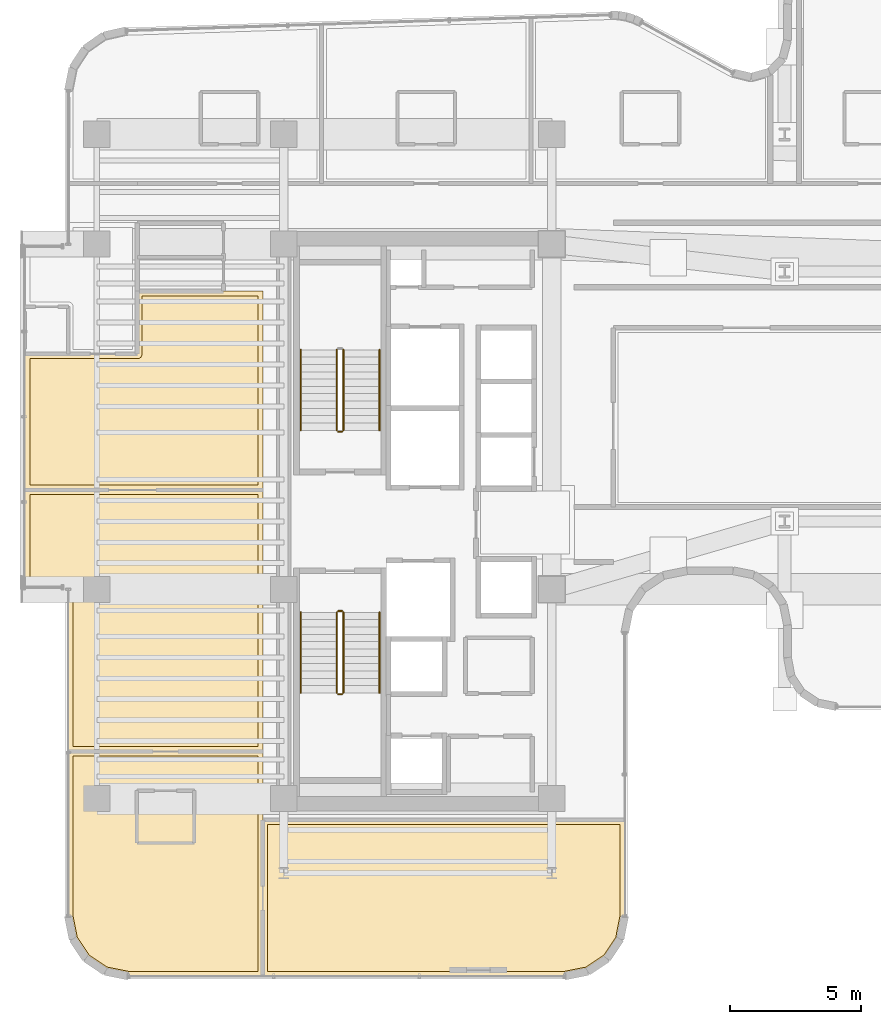
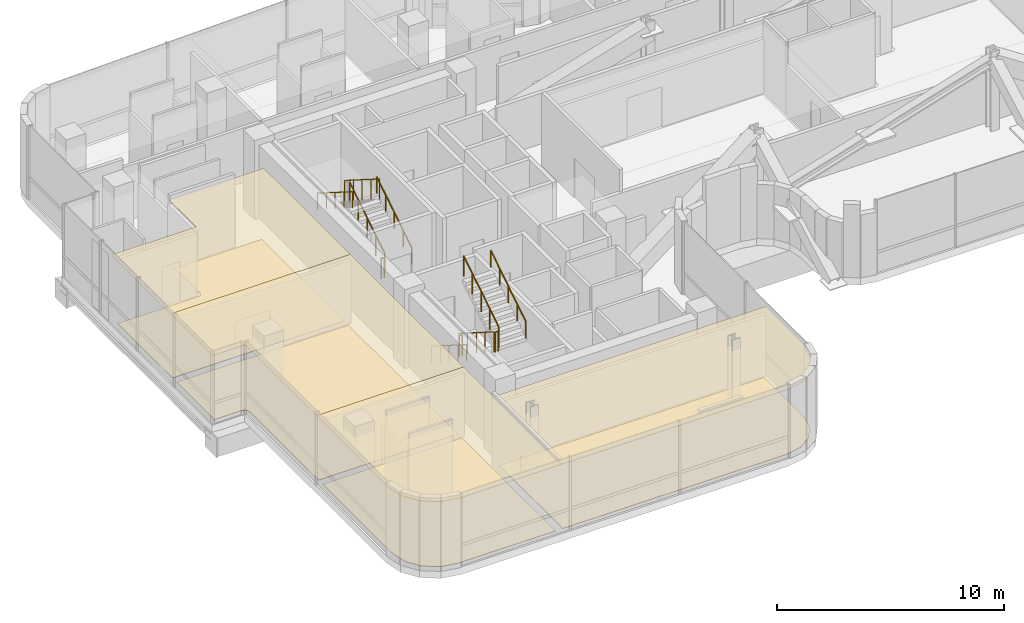
# One storey, part 32 of 37: 11 railings, 8 coverings.
"""IFC4 building model written with IfcOpenShell, lengths in metres."""

from ifc_helpers import new_model, si_unit, direction, frame, origin, origin_2d, place, context, subcontext, project, spatial, polyline, circle, outline, extrude, material, layer, layer_set, type_object, element, save


model = new_model("IFC4")

# Units and contexts
model_context = context("Model", 3, precision=1e-05, world=origin(), true_north=direction((0.0, 1.0)))
body_context = subcontext(model_context, "Body", "Model", "MODEL_VIEW")
ifc_project = project(units=[si_unit("LENGTHUNIT", "METRE"), si_unit("AREAUNIT", "SQUARE_METRE"), si_unit("VOLUMEUNIT", "CUBIC_METRE"), si_unit("PLANEANGLEUNIT", "RADIAN"), si_unit("MASSUNIT", "GRAM", prefix="KILO")], contexts=[model_context])

# Site, building, storey
site_placement = place(None, origin())
site = spatial("IfcSite", under=ifc_project, at=site_placement, CompositionType="ELEMENT")
building_placement = place(site_placement, origin())
building = spatial("IfcBuilding", under=site, at=building_placement, Name="Valdorenza Pilgrim Sanctuary Tower", CompositionType="ELEMENT")
storey_placement = place(building_placement, frame((0.0, 0.0, 172.300048828125)))
storey = spatial("IfcBuildingStorey", under=building, at=storey_placement, Name="L44", CompositionType="ELEMENT", Elevation=172.300048828125)

# Coverings
ifc_material_1 = material(Name="Micro-perforated acoustic mineral ceiling tile", Category="gypsum")
ifc_layer_1 = layer(ifc_material_1, 0.02490234375, Name="Micro-perforated acoustic mineral ceiling tile")
ifc_layer_set_1 = layer_set([ifc_layer_1], Name="Micro-perforated acoustic mineral ceiling tile")
covering_type_1 = type_object("IfcCoveringType", Name="COV-CLG-ACU", PredefinedType="CEILING", material=ifc_layer_set_1)
covering_1_placement = place(storey_placement, frame((0.0, 0.0, 3.6298828125)))
element("IfcCovering", 1, at=covering_1_placement, inside=storey, type_object=covering_type_1, Name="L44 Pilgrim Guest Room L44-CS1 Acoustic Ceiling", PredefinedType="CEILING", context=body_context, shape_type="SweptSolid", body=[
    extrude(outline(polyline([(-23.449951171875, -8.784912109375), (-23.448486328125, -8.78515625), (-23.447021484375, -8.785400390625), (-23.445556640625, -8.78564453125), (-23.4443359375, -8.7861328125), (-23.44287109375, -8.786865234375), (-23.441650390625, -8.78759765625), (-23.4404296875, -8.788330078125), (-23.439453125, -8.789306640625), (-23.4384765625, -8.79052734375), (-23.4375, -8.791748046875), (-23.436767578125, -8.79296875), (-23.43603515625, -8.794189453125), (-23.435546875, -8.795654296875), (-23.435302734375, -8.797119140625), (-23.43505859375, -8.798583984375), (-23.43505859375, -8.800048828125), (-23.43505859375, -17.389892578125), (-23.43505859375, -17.3916015625), (-23.435302734375, -17.392822265625), (-23.435546875, -17.394287109375), (-23.43603515625, -17.395751953125), (-23.436767578125, -17.397216796875), (-23.4375, -17.398193359375), (-23.4384765625, -17.3994140625), (-23.439453125, -17.400634765625), (-23.4404296875, -17.401611328125), (-23.441650390625, -17.402587890625), (-23.44287109375, -17.4033203125), (-23.4443359375, -17.40380859375), (-23.445556640625, -17.404296875), (-23.447021484375, -17.40478515625), (-23.448486328125, -17.40478515625), (-23.449951171875, -17.405029296875), (-28.589111328125, -17.405029296875), (-28.590576171875, -17.40478515625), (-28.592041015625, -17.40478515625), (-29.478515625, -17.228515625), (-29.479736328125, -17.22802734375), (-29.481201171875, -17.2275390625), (-29.482666015625, -17.226806640625), (-29.48388671875, -17.226318359375), (-30.22607421875, -16.730224609375), (-30.227294921875, -16.7294921875), (-30.228515625, -16.728515625), (-30.2294921875, -16.727294921875), (-30.230224609375, -16.72607421875), (-30.726318359375, -15.98388671875), (-30.726806640625, -15.982666015625), (-30.7275390625, -15.981201171875), (-30.72802734375, -15.979736328125), (-30.728515625, -15.978515625), (-30.90478515625, -15.092041015625), (-30.90478515625, -15.090576171875), (-30.905029296875, -15.089111328125), (-30.905029296875, -8.800048828125), (-30.90478515625, -8.798583984375), (-30.90478515625, -8.797119140625), (-30.904296875, -8.795654296875), (-30.90380859375, -8.794189453125), (-30.9033203125, -8.79296875), (-30.902587890625, -8.791748046875), (-30.901611328125, -8.79052734375), (-30.900634765625, -8.789306640625), (-30.8994140625, -8.788330078125), (-30.898193359375, -8.78759765625), (-30.897216796875, -8.786865234375), (-30.895751953125, -8.7861328125), (-30.894287109375, -8.78564453125), (-30.892822265625, -8.785400390625), (-30.8916015625, -8.78515625), (-30.889892578125, -8.784912109375), (-23.449951171875, -8.784912109375)])), origin(), (0.0, 0.0, 1.0), 0.025146484375),
])
covering_2_placement = place(storey_placement, frame((0.0, 0.0, 3.6298828125)))
element("IfcCovering", 2, at=covering_2_placement, inside=storey, type_object=covering_type_1, Name="L44 South Contemplation Salon L44 Acoustic Ceiling", PredefinedType="CEILING", context=body_context, shape_type="SweptSolid", body=[
    extrude(outline(polyline([(-23.43505859375, -8.798095703125), (-23.43505859375, -8.799560546875), (-23.435302734375, -8.80078125), (-23.435546875, -8.802490234375), (-23.43603515625, -8.8037109375), (-23.436767578125, -8.80517578125), (-23.4375, -8.806396484375), (-23.4384765625, -8.8076171875), (-23.439453125, -8.80859375), (-23.4404296875, -8.8095703125), (-23.441650390625, -8.810546875), (-23.44287109375, -8.811279296875), (-23.4443359375, -8.81201171875), (-23.445556640625, -8.8125), (-23.447021484375, -8.812744140625), (-23.448486328125, -8.81298828125), (-23.449951171875, -8.81298828125), (-30.889892578125, -8.81298828125), (-30.8916015625, -8.81298828125), (-30.892822265625, -8.812744140625), (-30.894287109375, -8.8125), (-30.895751953125, -8.81201171875), (-30.897216796875, -8.811279296875), (-30.898193359375, -8.810546875), (-30.8994140625, -8.8095703125), (-30.900634765625, -8.80859375), (-30.901611328125, -8.8076171875), (-30.902587890625, -8.806396484375), (-30.9033203125, -8.80517578125), (-30.90380859375, -8.8037109375), (-30.904296875, -8.802490234375), (-30.90478515625, -8.80078125), (-30.90478515625, -8.799560546875), (-30.905029296875, -8.798095703125), (-30.905029296875, -2.600341796875), (-30.905517578125, -2.5908203125), (-30.90673828125, -2.58154296875), (-30.9091796875, -2.572509765625), (-30.912109375, -2.563720703125), (-30.916259765625, -2.55517578125), (-30.9208984375, -2.547119140625), (-30.926513671875, -2.539794921875), (-30.932861328125, -2.53271484375), (-30.939697265625, -2.526611328125), (-30.947265625, -2.52099609375), (-30.955078125, -2.51611328125), (-30.963623046875, -2.51220703125), (-30.972412109375, -2.509033203125), (-30.9814453125, -2.5068359375), (-30.99072265625, -2.505615234375), (-31.00048828125, -2.5048828125), (-32.5400390625, -2.5048828125), (-32.54150390625, -2.5048828125), (-32.54296875, -2.504638671875), (-32.54443359375, -2.50439453125), (-32.545654296875, -2.50390625), (-32.547119140625, -2.503173828125), (-32.54833984375, -2.50244140625), (-32.549560546875, -2.501708984375), (-32.550537109375, -2.50048828125), (-32.551513671875, -2.49951171875), (-32.552490234375, -2.498291015625), (-32.55322265625, -2.4970703125), (-32.553955078125, -2.49560546875), (-32.554443359375, -2.494384765625), (-32.5546875, -2.492919921875), (-32.554931640625, -2.491455078125), (-32.554931640625, -2.489990234375), (-32.554931640625, 1.199951171875), (-32.554931640625, 1.201416015625), (-32.5546875, 1.202880859375), (-32.554443359375, 1.204345703125), (-32.553955078125, 1.205810546875), (-32.55322265625, 1.20703125), (-32.552490234375, 1.208251953125), (-32.551513671875, 1.20947265625), (-32.550537109375, 1.210693359375), (-32.549560546875, 1.211669921875), (-32.54833984375, 1.21240234375), (-32.547119140625, 1.213134765625), (-32.545654296875, 1.2138671875), (-32.54443359375, 1.21435546875), (-32.54296875, 1.214599609375), (-32.54150390625, 1.21484375), (-32.5400390625, 1.215087890625), (-23.449951171875, 1.215087890625), (-23.448486328125, 1.21484375), (-23.447021484375, 1.214599609375), (-23.445556640625, 1.21435546875), (-23.4443359375, 1.2138671875), (-23.44287109375, 1.213134765625), (-23.441650390625, 1.21240234375), (-23.4404296875, 1.211669921875), (-23.439453125, 1.210693359375), (-23.4384765625, 1.20947265625), (-23.4375, 1.208251953125), (-23.436767578125, 1.20703125), (-23.43603515625, 1.205810546875), (-23.435546875, 1.204345703125), (-23.435302734375, 1.202880859375), (-23.43505859375, 1.201416015625), (-23.43505859375, 1.199951171875), (-23.43505859375, -8.798095703125)])), origin(), (0.0, 0.0, 1.0), 0.025146484375),
])
covering_3_placement = place(storey_placement, frame((0.0, 0.0, 3.6298828125)))
element("IfcCovering", 3, at=covering_3_placement, inside=storey, type_object=covering_type_1, Name="L44 North Contemplation Salon L44 Acoustic Ceiling", PredefinedType="CEILING", context=body_context, shape_type="SweptSolid", body=[
    extrude(outline(polyline([(-30.8916015625, 6.4130859375), (-30.89111328125, 6.4130859375), (-30.889404296875, 6.413330078125), (-30.887939453125, 6.4130859375), (-30.886474609375, 6.4130859375), (-30.88623046875, 6.4130859375), (-28.262939453125, 6.4130859375), (-28.262939453125, 8.798095703125), (-28.262939453125, 8.799560546875), (-28.2626953125, 8.80078125), (-28.262451171875, 8.802490234375), (-28.261962890625, 8.8037109375), (-28.26123046875, 8.80517578125), (-28.260498046875, 8.806396484375), (-28.259521484375, 8.8076171875), (-28.258544921875, 8.80859375), (-28.257568359375, 8.8095703125), (-28.25634765625, 8.810546875), (-28.255126953125, 8.811279296875), (-28.253662109375, 8.81201171875), (-28.25244140625, 8.8125), (-28.2509765625, 8.812744140625), (-28.24951171875, 8.81298828125), (-28.248046875, 8.81298828125), (-24.955322265625, 8.81298828125), (-24.954833984375, 8.813232421875), (-24.95361328125, 8.81396484375), (-24.9521484375, 8.814453125), (-24.95068359375, 8.814697265625), (-24.949462890625, 8.81494140625), (-24.947998046875, 8.81494140625), (-23.449951171875, 8.81494140625), (-23.448486328125, 8.81494140625), (-23.447021484375, 8.814697265625), (-23.445556640625, 8.814453125), (-23.4443359375, 8.81396484375), (-23.44287109375, 8.813232421875), (-23.441650390625, 8.8125), (-23.4404296875, 8.8115234375), (-23.439453125, 8.810546875), (-23.4384765625, 8.8095703125), (-23.4375, 8.808349609375), (-23.436767578125, 8.80712890625), (-23.43603515625, 8.8056640625), (-23.435546875, 8.804443359375), (-23.435302734375, 8.802978515625), (-23.43505859375, 8.801513671875), (-23.43505859375, 8.800048828125), (-23.43505859375, 1.201904296875), (-23.43505859375, 1.200439453125), (-23.435302734375, 1.19921875), (-23.435546875, 1.197509765625), (-23.43603515625, 1.1962890625), (-23.436767578125, 1.19482421875), (-23.4375, 1.193603515625), (-23.4384765625, 1.1923828125), (-23.439453125, 1.19140625), (-23.4404296875, 1.1904296875), (-23.441650390625, 1.189453125), (-23.44287109375, 1.188720703125), (-23.4443359375, 1.18798828125), (-23.445556640625, 1.1875), (-23.447021484375, 1.187255859375), (-23.448486328125, 1.18701171875), (-23.449951171875, 1.18701171875), (-32.5400390625, 1.18701171875), (-32.54150390625, 1.18701171875), (-32.54296875, 1.187255859375), (-32.54443359375, 1.1875), (-32.545654296875, 1.18798828125), (-32.547119140625, 1.188720703125), (-32.54833984375, 1.189453125), (-32.549560546875, 1.1904296875), (-32.550537109375, 1.19140625), (-32.551513671875, 1.1923828125), (-32.552490234375, 1.193603515625), (-32.55322265625, 1.19482421875), (-32.553955078125, 1.1962890625), (-32.554443359375, 1.197509765625), (-32.5546875, 1.19921875), (-32.554931640625, 1.200439453125), (-32.554931640625, 1.201904296875), (-32.554931640625, 6.39794921875), (-32.554931640625, 6.3994140625), (-32.5546875, 6.40087890625), (-32.554443359375, 6.40234375), (-32.553955078125, 6.40380859375), (-32.55322265625, 6.405029296875), (-32.552490234375, 6.40625), (-32.551513671875, 6.407470703125), (-32.550537109375, 6.40869140625), (-32.549560546875, 6.40966796875), (-32.54833984375, 6.410400390625), (-32.547119140625, 6.4111328125), (-32.545654296875, 6.411865234375), (-32.54443359375, 6.412353515625), (-32.54296875, 6.41259765625), (-32.54150390625, 6.412841796875), (-32.5400390625, 6.4130859375), (-30.8916015625, 6.4130859375)])), origin(), (0.0, 0.0, 1.0), 0.025146484375),
])
covering_4_placement = place(storey_placement, frame((0.0, 0.0, 3.6298828125)))
element("IfcCovering", 4, at=covering_4_placement, inside=storey, type_object=covering_type_1, Name="L44 Sacred Archive Reading Library L44-S Acoustic Ceiling", PredefinedType="CEILING", context=body_context, shape_type="SweptSolid", body=[
    extrude(outline(polyline([(-9.610107421875, -11.405029296875), (-9.6083984375, -11.405029296875), (-9.607177734375, -11.4052734375), (-9.605712890625, -11.405517578125), (-9.604248046875, -11.406005859375), (-9.602783203125, -11.40673828125), (-9.601806640625, -11.407470703125), (-9.6005859375, -11.408447265625), (-9.599365234375, -11.409423828125), (-9.598388671875, -11.410400390625), (-9.597412109375, -11.41162109375), (-9.5966796875, -11.412841796875), (-9.59619140625, -11.414306640625), (-9.595703125, -11.41552734375), (-9.59521484375, -11.4169921875), (-9.59521484375, -11.41845703125), (-9.594970703125, -11.419921875), (-9.594970703125, -15.089111328125), (-9.59521484375, -15.090576171875), (-9.59521484375, -15.092041015625), (-9.771484375, -15.978515625), (-9.77197265625, -15.979736328125), (-9.7724609375, -15.981201171875), (-9.773193359375, -15.982666015625), (-9.773681640625, -15.98388671875), (-10.269775390625, -16.72607421875), (-10.2705078125, -16.727294921875), (-10.271484375, -16.728515625), (-10.272705078125, -16.7294921875), (-10.27392578125, -16.730224609375), (-11.01611328125, -17.226318359375), (-11.017333984375, -17.226806640625), (-11.018798828125, -17.2275390625), (-11.020263671875, -17.22802734375), (-11.021484375, -17.228515625), (-11.907958984375, -17.40478515625), (-11.909423828125, -17.40478515625), (-11.910888671875, -17.405029296875), (-23.447998046875, -17.405029296875), (-23.449462890625, -17.40478515625), (-23.450927734375, -17.40478515625), (-23.452392578125, -17.404296875), (-23.45361328125, -17.40380859375), (-23.455078125, -17.4033203125), (-23.456298828125, -17.402587890625), (-23.45751953125, -17.401611328125), (-23.45849609375, -17.400634765625), (-23.459716796875, -17.3994140625), (-23.46044921875, -17.398193359375), (-23.461181640625, -17.397216796875), (-23.4619140625, -17.395751953125), (-23.46240234375, -17.394287109375), (-23.462646484375, -17.392822265625), (-23.462890625, -17.3916015625), (-23.462890625, -17.389892578125), (-23.462890625, -11.419921875), (-23.462890625, -11.41845703125), (-23.462646484375, -11.4169921875), (-23.46240234375, -11.41552734375), (-23.4619140625, -11.414306640625), (-23.461181640625, -11.412841796875), (-23.46044921875, -11.41162109375), (-23.459716796875, -11.410400390625), (-23.45849609375, -11.409423828125), (-23.45751953125, -11.408447265625), (-23.456298828125, -11.407470703125), (-23.455078125, -11.40673828125), (-23.45361328125, -11.406005859375), (-23.452392578125, -11.405517578125), (-23.450927734375, -11.4052734375), (-23.449462890625, -11.405029296875), (-23.447998046875, -11.405029296875), (-9.610107421875, -11.405029296875)])), origin(), (0.0, 0.0, 1.0), 0.025146484375),
])
ifc_material_2 = material(Name="Engineered European oak timber flooring", Category="wood")
ifc_layer_2 = layer(ifc_material_2, 0.02197265625, Name="Engineered European oak timber flooring")
ifc_layer_set_2 = layer_set([ifc_layer_2], Name="Engineered European oak timber flooring")
covering_type_2 = type_object("IfcCoveringType", Name="COV-FLR-OAK", PredefinedType="FLOORING", material=ifc_layer_set_2)
covering_5_placement = place(storey_placement, origin())
element("IfcCovering", 5, at=covering_5_placement, inside=storey, type_object=covering_type_2, Name="L44 Pilgrim Guest Room L44-CS1 Flooring", PredefinedType="FLOORING", context=body_context, shape_type="SweptSolid", body=[
    extrude(outline(polyline([(-23.6298828125, -8.97998046875), (-23.6298828125, -17.2099609375), (-28.5712890625, -17.2099609375), (-29.4052734375, -17.044189453125), (-30.087890625, -16.587890625), (-30.544189453125, -15.9052734375), (-30.7099609375, -15.0712890625), (-30.7099609375, -8.97998046875), (-23.6298828125, -8.97998046875)])), origin(), (0.0, 0.0, 1.0), 0.02490234375),
])
ifc_material_3 = material(Name="Honed travertine stone flooring", Category="masonry")
ifc_layer_3 = layer(ifc_material_3, 0.030029296875, Name="Honed travertine stone flooring")
ifc_layer_set_3 = layer_set([ifc_layer_3], Name="Honed travertine stone flooring")
covering_type_3 = type_object("IfcCoveringType", Name="COV-FLR-TRV", PredefinedType="FLOORING", material=ifc_layer_set_3)
covering_6_placement = place(storey_placement, origin())
element("IfcCovering", 6, at=covering_6_placement, inside=storey, type_object=covering_type_3, Name="L44 South Contemplation Salon L44 Flooring", PredefinedType="FLOORING", context=body_context, shape_type="SweptSolid", body=[
    extrude(outline(polyline([(-23.6298828125, -8.617919921875), (-30.7099609375, -8.617919921875), (-30.7099609375, -2.60009765625), (-30.710205078125, -2.59130859375), (-30.710693359375, -2.580322265625), (-30.71240234375, -2.562744140625), (-30.714111328125, -2.552001953125), (-30.717529296875, -2.534912109375), (-30.72021484375, -2.5244140625), (-30.725341796875, -2.50732421875), (-30.72900390625, -2.497314453125), (-30.735595703125, -2.48095703125), (-30.740234375, -2.47119140625), (-30.74853515625, -2.45556640625), (-30.754150390625, -2.4462890625), (-30.763916015625, -2.431640625), (-30.7705078125, -2.423095703125), (-30.781494140625, -2.4091796875), (-30.788818359375, -2.4013671875), (-30.80126953125, -2.388916015625), (-30.809326171875, -2.381591796875), (-30.822998046875, -2.370361328125), (-30.831787109375, -2.364013671875), (-30.84619140625, -2.35400390625), (-30.855712890625, -2.3486328125), (-30.87109375, -2.34033203125), (-30.880859375, -2.335693359375), (-30.897216796875, -2.328857421875), (-30.907470703125, -2.3251953125), (-30.92431640625, -2.320068359375), (-30.934814453125, -2.3173828125), (-30.9521484375, -2.314208984375), (-30.962890625, -2.3125), (-30.98046875, -2.310791015625), (-30.9912109375, -2.310302734375), (-31.0, -2.31005859375), (-32.360107421875, -2.31005859375), (-32.360107421875, 1.02001953125), (-23.6298828125, 1.02001953125), (-23.6298828125, -8.617919921875)])), origin(), (0.0, 0.0, 1.0), 0.02490234375),
])
covering_7_placement = place(storey_placement, origin())
element("IfcCovering", 7, at=covering_7_placement, inside=storey, type_object=covering_type_3, Name="L44 North Contemplation Salon L44 Flooring", PredefinedType="FLOORING", context=body_context, shape_type="SweptSolid", body=[
    extrude(outline(polyline([(-30.88818359375, 6.218017578125), (-30.887939453125, 6.218017578125), (-28.25, 6.218017578125), (-28.2412109375, 6.21826171875), (-28.240966796875, 6.21826171875), (-28.223388671875, 6.219970703125), (-28.22314453125, 6.219970703125), (-28.205810546875, 6.223388671875), (-28.205810546875, 6.223388671875), (-28.188720703125, 6.228515625), (-28.188720703125, 6.228759765625), (-28.17236328125, 6.2353515625), (-28.172119140625, 6.235595703125), (-28.156494140625, 6.243896484375), (-28.156494140625, 6.243896484375), (-28.1416015625, 6.25390625), (-28.1416015625, 6.25390625), (-28.1279296875, 6.26513671875), (-28.127685546875, 6.26513671875), (-28.115234375, 6.277587890625), (-28.114990234375, 6.27783203125), (-28.10400390625, 6.29150390625), (-28.103759765625, 6.291748046875), (-28.093994140625, 6.306396484375), (-28.09375, 6.306396484375), (-28.08544921875, 6.322021484375), (-28.08544921875, 6.322265625), (-28.07861328125, 6.338623046875), (-28.07861328125, 6.3388671875), (-28.073486328125, 6.355712890625), (-28.073486328125, 6.35595703125), (-28.070068359375, 6.373291015625), (-28.070068359375, 6.373291015625), (-28.068115234375, 6.39111328125), (-28.068115234375, 6.39111328125), (-28.068115234375, 6.39990234375), (-28.068115234375, 8.617919921875), (-24.949951171875, 8.617919921875), (-24.94970703125, 8.617919921875), (-23.6298828125, 8.619873046875), (-23.6298828125, 1.382080078125), (-32.360107421875, 1.382080078125), (-32.360107421875, 6.218017578125), (-30.889892578125, 6.218017578125), (-30.888916015625, 6.218017578125), (-30.88818359375, 6.218017578125)])), origin(), (0.0, 0.0, 1.0), 0.02490234375),
])
covering_8_placement = place(storey_placement, origin())
element("IfcCovering", 8, at=covering_8_placement, inside=storey, type_object=covering_type_3, Name="L44 Sacred Archive Reading Library L44-S Flooring", PredefinedType="FLOORING", context=body_context, shape_type="SweptSolid", body=[
    extrude(outline(polyline([(-9.7900390625, -11.60009765625), (-9.7900390625, -15.0712890625), (-9.955810546875, -15.9052734375), (-10.412109375, -16.587890625), (-11.0947265625, -17.044189453125), (-11.9287109375, -17.2099609375), (-23.26806640625, -17.2099609375), (-23.26806640625, -11.60009765625), (-9.7900390625, -11.60009765625)])), origin(), (0.0, 0.0, 1.0), 0.02490234375),
])

# Railings
ifc_material_4 = material(Name="Stainless steel Grade 316", Category="steel")
railing_type_1 = type_object("IfcRailingType", Name="RLG-GRD-1120", PredefinedType="GUARDRAIL", material=ifc_material_4)
railing_1_placement = place(storey_placement, frame((-20.3701171875, 3.47998046875, 0.177001953125)))
element("IfcRailing", 9, at=railing_1_placement, inside=storey, type_object=railing_type_1, Name="L44 ST-A1 stair guard 1", PredefinedType="GUARDRAIL", context=body_context, shape_type="SweptSolid", body=[
    extrude(circle(Radius=0.02392578125, at=origin_2d()), frame((0.0, 0.0, 1.076171875), z_axis=(0.0, 0.845156040024, 0.534519661014), x_axis=(-1.0, 0.0, 0.0)), (0.0, 0.0, 1.0), 3.644287109375),
    extrude(circle(Radius=0.02099609375, at=origin_2d()), origin(), (0.0, 0.0, 1.0), 1.052001953125),
    extrude(circle(Radius=0.02099609375, at=origin_2d()), frame((0.0, 0.77001953125, 0.487060546875)), (0.0, 0.0, 1.0), 1.052001953125),
    extrude(circle(Radius=0.02099609375, at=origin_2d()), frame((0.0, 1.5400390625, 0.97412109375)), (0.0, 0.0, 1.0), 1.052001953125),
    extrude(circle(Radius=0.02099609375, at=origin_2d()), frame((0.0, 2.31005859375, 1.4609375)), (0.0, 0.0, 1.0), 1.052001953125),
    extrude(circle(Radius=0.02099609375, at=origin_2d()), frame((0.0, 3.080078125, 1.947998046875)), (0.0, 0.0, 1.0), 1.052001953125),
])
railing_2_placement = place(storey_placement, frame((-20.6201171875, 6.56005859375, 2.302001953125)))
element("IfcRailing", 10, at=railing_2_placement, inside=storey, type_object=railing_type_1, Name="L44 ST-A1 stair guard 3", PredefinedType="GUARDRAIL", context=body_context, shape_type="SweptSolid", body=[
    extrude(circle(Radius=0.02392578125, at=origin_2d()), frame((0.0, 0.0, 1.076171875), z_axis=(0.0, -0.845156040024, 0.534519661014), x_axis=(1.0, 0.0, 0.0)), (0.0, 0.0, 1.0), 3.644287109375),
    extrude(circle(Radius=0.02099609375, at=origin_2d()), origin(), (0.0, 0.0, 1.0), 1.052001953125),
    extrude(circle(Radius=0.02099609375, at=origin_2d()), frame((0.0, -0.77001953125, 0.487060546875)), (0.0, 0.0, 1.0), 1.052001953125),
    extrude(circle(Radius=0.02099609375, at=origin_2d()), frame((0.0, -1.5400390625, 0.97412109375)), (0.0, 0.0, 1.0), 1.052001953125),
    extrude(circle(Radius=0.02099609375, at=origin_2d()), frame((0.0, -2.31005859375, 1.4609375)), (0.0, 0.0, 1.0), 1.052001953125),
    extrude(circle(Radius=0.02099609375, at=origin_2d()), frame((0.0, -3.080078125, 1.947998046875)), (0.0, 0.0, 1.0), 1.052001953125),
])
railing_3_placement = place(storey_placement, frame((-20.419921875, 3.429931640625, 0.0)))
element("IfcRailing", 11, at=railing_3_placement, inside=storey, type_object=railing_type_1, Name="L44 ST-A1 stair guard 4", PredefinedType="GUARDRAIL", context=body_context, shape_type="SweptSolid", body=[
    extrude(circle(Radius=0.02392578125, at=origin_2d()), frame((0.0, 0.0, 1.076171875), z_axis=(-1.0, 0.0, 0.0), x_axis=(0.0, -1.0, 0.0)), (0.0, 0.0, 1.0), 0.150146484375),
    extrude(circle(Radius=0.02099609375, at=origin_2d()), origin(), (0.0, 0.0, 1.0), 1.052001953125),
    extrude(circle(Radius=0.02099609375, at=origin_2d()), frame((-0.150146484375, 0.0, 0.0)), (0.0, 0.0, 1.0), 1.052001953125),
])
railing_4_placement = place(storey_placement, frame((-20.6201171875, -3.47998046875, 0.177001953125)))
element("IfcRailing", 12, at=railing_4_placement, inside=storey, type_object=railing_type_1, Name="L44 ST-A2 stair guard 1", PredefinedType="GUARDRAIL", context=body_context, shape_type="SweptSolid", body=[
    extrude(circle(Radius=0.02392578125, at=origin_2d()), frame((0.0, 0.0, 1.076171875), z_axis=(0.0, -0.845156040024, 0.534519661014), x_axis=(1.0, 0.0, 0.0)), (0.0, 0.0, 1.0), 3.644287109375),
    extrude(circle(Radius=0.02099609375, at=origin_2d()), origin(), (0.0, 0.0, 1.0), 1.052001953125),
    extrude(circle(Radius=0.02099609375, at=origin_2d()), frame((0.0, -0.77001953125, 0.487060546875)), (0.0, 0.0, 1.0), 1.052001953125),
    extrude(circle(Radius=0.02099609375, at=origin_2d()), frame((0.0, -1.5400390625, 0.97412109375)), (0.0, 0.0, 1.0), 1.052001953125),
    extrude(circle(Radius=0.02099609375, at=origin_2d()), frame((0.0, -2.31005859375, 1.4609375)), (0.0, 0.0, 1.0), 1.052001953125),
    extrude(circle(Radius=0.02099609375, at=origin_2d()), frame((0.0, -3.080078125, 1.947998046875)), (0.0, 0.0, 1.0), 1.052001953125),
])
railing_5_placement = place(storey_placement, frame((-20.570068359375, -6.610107421875, 2.125)))
element("IfcRailing", 13, at=railing_5_placement, inside=storey, type_object=railing_type_1, Name="L44 ST-A2 stair guard 2", PredefinedType="GUARDRAIL", context=body_context, shape_type="SweptSolid", body=[
    extrude(circle(Radius=0.02392578125, at=origin_2d()), frame((0.0, 0.0, 1.076171875), z_axis=(1.0, 0.0, 0.0), x_axis=(0.0, 1.0, 0.0)), (0.0, 0.0, 1.0), 0.150146484375),
    extrude(circle(Radius=0.02099609375, at=origin_2d()), origin(), (0.0, 0.0, 1.0), 1.052001953125),
    extrude(circle(Radius=0.02099609375, at=origin_2d()), frame((0.150146484375, 0.0, 0.0)), (0.0, 0.0, 1.0), 1.052001953125),
])
railing_6_placement = place(storey_placement, frame((-20.3701171875, -6.56005859375, 2.302001953125)))
element("IfcRailing", 14, at=railing_6_placement, inside=storey, type_object=railing_type_1, Name="L44 ST-A2 stair guard 3", PredefinedType="GUARDRAIL", context=body_context, shape_type="SweptSolid", body=[
    extrude(circle(Radius=0.02392578125, at=origin_2d()), frame((0.0, 0.0, 1.076171875), z_axis=(0.0, 0.845156040024, 0.534519661014), x_axis=(-1.0, 0.0, 0.0)), (0.0, 0.0, 1.0), 3.644287109375),
    extrude(circle(Radius=0.02099609375, at=origin_2d()), origin(), (0.0, 0.0, 1.0), 1.052001953125),
    extrude(circle(Radius=0.02099609375, at=origin_2d()), frame((0.0, 0.77001953125, 0.487060546875)), (0.0, 0.0, 1.0), 1.052001953125),
    extrude(circle(Radius=0.02099609375, at=origin_2d()), frame((0.0, 1.5400390625, 0.97412109375)), (0.0, 0.0, 1.0), 1.052001953125),
    extrude(circle(Radius=0.02099609375, at=origin_2d()), frame((0.0, 2.31005859375, 1.4609375)), (0.0, 0.0, 1.0), 1.052001953125),
    extrude(circle(Radius=0.02099609375, at=origin_2d()), frame((0.0, 3.080078125, 1.947998046875)), (0.0, 0.0, 1.0), 1.052001953125),
])
railing_7_placement = place(storey_placement, frame((-20.570068359375, -3.429931640625, 0.0)))
element("IfcRailing", 15, at=railing_7_placement, inside=storey, type_object=railing_type_1, Name="L44 ST-A2 stair guard 4", PredefinedType="GUARDRAIL", context=body_context, shape_type="SweptSolid", body=[
    extrude(circle(Radius=0.02392578125, at=origin_2d()), frame((0.0, 0.0, 1.076171875), z_axis=(1.0, 0.0, 0.0), x_axis=(0.0, 1.0, 0.0)), (0.0, 0.0, 1.0), 0.150146484375),
    extrude(circle(Radius=0.02099609375, at=origin_2d()), origin(), (0.0, 0.0, 1.0), 1.052001953125),
    extrude(circle(Radius=0.02099609375, at=origin_2d()), frame((0.150146484375, 0.0, 0.0)), (0.0, 0.0, 1.0), 1.052001953125),
])
ifc_material_5 = material(Name="Brushed stainless steel Grade 316", Category="steel")
railing_type_2 = type_object("IfcRailingType", Name="RLG-HND-920", PredefinedType="HANDRAIL", material=ifc_material_5)
railing_8_placement = place(storey_placement, frame((-18.989990234375, 3.47998046875, 0.177001953125)))
element("IfcRailing", 16, at=railing_8_placement, inside=storey, type_object=railing_type_2, Name="L44 ST-A1 stair handrail 1", PredefinedType="HANDRAIL", context=body_context, shape_type="SweptSolid", body=[
    extrude(circle(Radius=0.02392578125, at=origin_2d()), frame((0.0, 0.0, 0.8759765625), z_axis=(0.0, 0.845156040024, 0.534519661014), x_axis=(-1.0, 0.0, 0.0)), (0.0, 0.0, 1.0), 3.644287109375),
    extrude(circle(Radius=0.02099609375, at=origin_2d()), origin(), (0.0, 0.0, 1.0), 0.851806640625),
    extrude(circle(Radius=0.02099609375, at=origin_2d()), frame((0.0, 0.77001953125, 0.487060546875)), (0.0, 0.0, 1.0), 0.851806640625),
    extrude(circle(Radius=0.02099609375, at=origin_2d()), frame((0.0, 1.5400390625, 0.97412109375)), (0.0, 0.0, 1.0), 0.851806640625),
    extrude(circle(Radius=0.02099609375, at=origin_2d()), frame((0.0, 2.31005859375, 1.4609375)), (0.0, 0.0, 1.0), 0.851806640625),
    extrude(circle(Radius=0.02099609375, at=origin_2d()), frame((0.0, 3.080078125, 1.947998046875)), (0.0, 0.0, 1.0), 0.851806640625),
])
for number, where, name in (
    (17, (-22.0, 6.56005859375, 2.302001953125), "L44 ST-A1 stair handrail 2"),
    (18, (-22.0, -3.47998046875, 0.177001953125), "L44 ST-A2 stair handrail 1"),
):
    element("IfcRailing", number, at=place(storey_placement, frame(where)), inside=storey, type_object=railing_type_2, Name=name, PredefinedType="HANDRAIL", context=body_context, shape_type="SweptSolid", body=[
        extrude(circle(Radius=0.02392578125, at=origin_2d()), frame((0.0, 0.0, 0.8759765625), z_axis=(0.0, -0.845156040024, 0.534519661014), x_axis=(1.0, 0.0, 0.0)), (0.0, 0.0, 1.0), 3.644287109375),
        extrude(circle(Radius=0.02099609375, at=origin_2d()), origin(), (0.0, 0.0, 1.0), 0.851806640625),
        extrude(circle(Radius=0.02099609375, at=origin_2d()), frame((0.0, -0.77001953125, 0.487060546875)), (0.0, 0.0, 1.0), 0.851806640625),
        extrude(circle(Radius=0.02099609375, at=origin_2d()), frame((0.0, -1.5400390625, 0.97412109375)), (0.0, 0.0, 1.0), 0.851806640625),
        extrude(circle(Radius=0.02099609375, at=origin_2d()), frame((0.0, -2.31005859375, 1.4609375)), (0.0, 0.0, 1.0), 0.851806640625),
        extrude(circle(Radius=0.02099609375, at=origin_2d()), frame((0.0, -3.080078125, 1.947998046875)), (0.0, 0.0, 1.0), 0.851806640625),
    ])
railing_9_placement = place(storey_placement, frame((-18.989990234375, -6.56005859375, 2.302001953125)))
element("IfcRailing", 19, at=railing_9_placement, inside=storey, type_object=railing_type_2, Name="L44 ST-A2 stair handrail 2", PredefinedType="HANDRAIL", context=body_context, shape_type="SweptSolid", body=[
    extrude(circle(Radius=0.02392578125, at=origin_2d()), frame((0.0, 0.0, 0.8759765625), z_axis=(0.0, 0.845156040024, 0.534519661014), x_axis=(-1.0, 0.0, 0.0)), (0.0, 0.0, 1.0), 3.644287109375),
    extrude(circle(Radius=0.02099609375, at=origin_2d()), origin(), (0.0, 0.0, 1.0), 0.851806640625),
    extrude(circle(Radius=0.02099609375, at=origin_2d()), frame((0.0, 0.77001953125, 0.487060546875)), (0.0, 0.0, 1.0), 0.851806640625),
    extrude(circle(Radius=0.02099609375, at=origin_2d()), frame((0.0, 1.5400390625, 0.97412109375)), (0.0, 0.0, 1.0), 0.851806640625),
    extrude(circle(Radius=0.02099609375, at=origin_2d()), frame((0.0, 2.31005859375, 1.4609375)), (0.0, 0.0, 1.0), 0.851806640625),
    extrude(circle(Radius=0.02099609375, at=origin_2d()), frame((0.0, 3.080078125, 1.947998046875)), (0.0, 0.0, 1.0), 0.851806640625),
])

save(model, "model.ifc")
